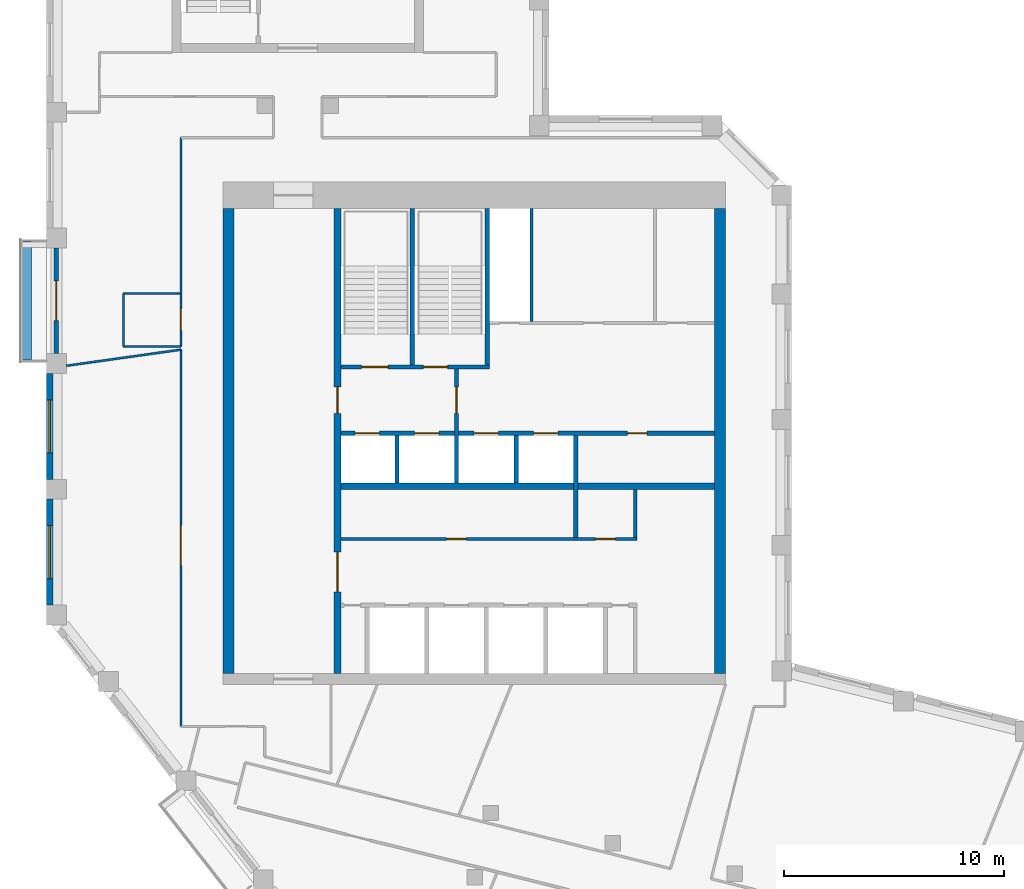
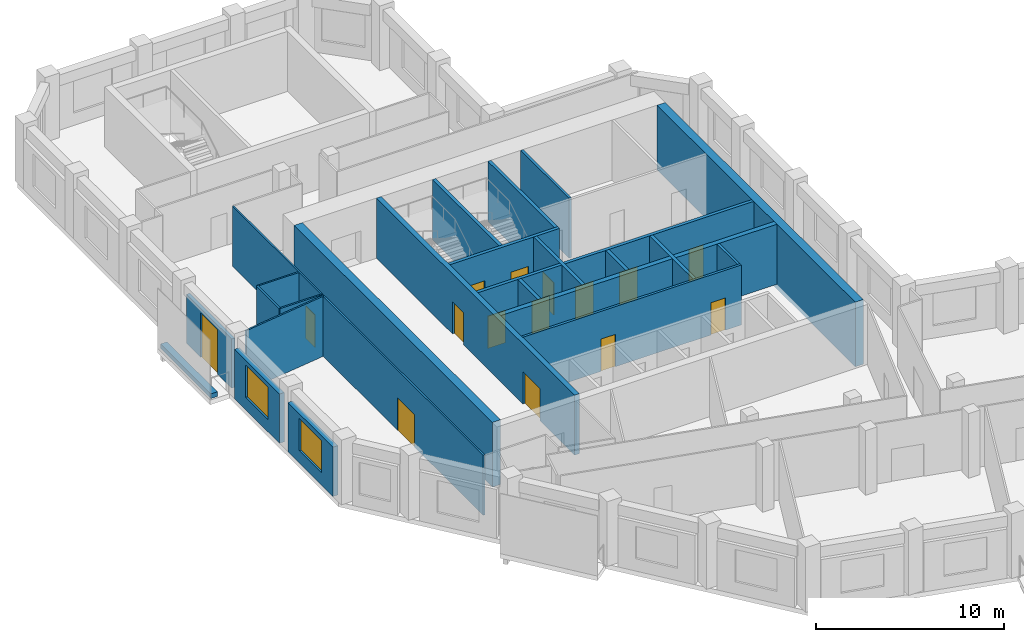
# One storey, part 9 of 13: 25 walls, 15 doors, 2 windows, 17 openings.
"""IFC4 building model written with IfcOpenShell, lengths in metres."""

import ifcopenshell
import ifcopenshell.guid

model = None  # the IFC model being written
_history = None  # IfcOwnerHistory: only IFC2X3 demands one
_inside = {}  # id of a spatial element -> (the spatial element, [elements in it])
_under = {}  # id of a project, library or spatial element -> (it, [spatial elements below it])
_declared = {}  # id of a project -> (the project, [libraries it declares])
_typed = {}  # id of a type object -> (the type object, [elements of that type])
_made_of = {}  # id of a material, layer set ... -> (it, [elements and type objects made of it])


def new_model(schema):
    """Start an empty IFC model of exactly this schema.

    Asked for "IFC4X3", IfcOpenShell would pick the latest addendum, in which some entities
    have other attributes; the version numbers below select the first issue.
    IFC2X3 requires an IfcOwnerHistory on every rooted entity: one is made here for all.
    """
    global model, _history
    if schema == "IFC4X3":
        model = ifcopenshell.file(schema_version=(4, 3, 0, 0))
    else:
        model = ifcopenshell.file(schema=schema)
    _inside.clear()
    _under.clear()
    _declared.clear()
    _typed.clear()
    _made_of.clear()
    _history = None
    if model.schema == "IFC2X3":
        org = make("IfcOrganization", Name="unknown")
        user = make(
            "IfcPersonAndOrganization",
            ThePerson=make("IfcPerson", FamilyName="unknown"),
            TheOrganization=org,
        )
        app = make(
            "IfcApplication",
            ApplicationDeveloper=org,
            Version="unknown",
            ApplicationFullName="unknown",
            ApplicationIdentifier="unknown",
        )
        _history = make(
            "IfcOwnerHistory",
            OwningUser=user,
            OwningApplication=app,
            ChangeAction="ADDED",
            CreationDate=0,
        )
    return model


def make(cls, **values):
    """One entity of the class cls with the attributes given. An attribute that is None is left unset."""
    return model.create_entity(
        cls, **{name: value for name, value in values.items() if value is not None}
    )


def rooted(cls, **values):
    """An entity with a GlobalId (a new one), such as an element, a storey or a relation."""
    return make(cls, GlobalId=ifcopenshell.guid.new(), OwnerHistory=_history, **values)


def si_unit(unit_type, name, prefix=None):
    """IfcSIUnit, for example si_unit("LENGTHUNIT", "METRE", prefix="MILLI")."""
    return make("IfcSIUnit", UnitType=unit_type, Prefix=prefix, Name=name)


def assignment(units):
    """IfcUnitAssignment: the units of a project."""
    return None if units is None else make("IfcUnitAssignment", Units=units)


def point(xyz):
    """IfcCartesianPoint."""
    return None if xyz is None else make("IfcCartesianPoint", Coordinates=xyz)


def direction(xyz):
    """IfcDirection."""
    return None if xyz is None else make("IfcDirection", DirectionRatios=xyz)


def frame(location, z_axis=None, x_axis=None):
    """IfcAxis2Placement3D, a coordinate frame: its origin and axes. An axis left out is left unset."""
    return make(
        "IfcAxis2Placement3D",
        Location=point(location),
        Axis=direction(z_axis),
        RefDirection=direction(x_axis),
    )


def frame_2d(location, x_axis=None):
    """IfcAxis2Placement2D, a coordinate frame in the plane: its origin and x axis."""
    return make(
        "IfcAxis2Placement2D", Location=point(location), RefDirection=direction(x_axis)
    )


def origin():
    """The frame at (0, 0, 0) with its axes left unset."""
    return frame((0.0, 0.0, 0.0))


def place(relative_to, where):
    """IfcLocalPlacement: puts the frame where relative to a parent placement (None: the world)."""
    return make(
        "IfcLocalPlacement", PlacementRelTo=relative_to, RelativePlacement=where
    )


def context(
    kind, dimensions, precision=None, world=None, true_north=None, identifier=None
):
    """IfcGeometricRepresentationContext, for example the 3D "Model" context."""
    return make(
        "IfcGeometricRepresentationContext",
        ContextIdentifier=identifier,
        ContextType=kind,
        CoordinateSpaceDimension=dimensions,
        Precision=precision,
        WorldCoordinateSystem=world,
        TrueNorth=true_north,
    )


def subcontext(parent, identifier, kind, view, scale=None):
    """IfcGeometricRepresentationSubContext, for example "Body" below "Model"."""
    return make(
        "IfcGeometricRepresentationSubContext",
        ContextIdentifier=identifier,
        ContextType=kind,
        ParentContext=parent,
        TargetScale=scale,
        TargetView=view,
    )


def project(units=None, contexts=None):
    """IfcProject with its units and contexts."""
    return rooted(
        "IfcProject",
        Name="project",
        RepresentationContexts=contexts,
        UnitsInContext=assignment(units),
    )


def spatial(cls, under=None, at=None, **own):
    """A site, building, storey or space (cls), placed at a placement, below another one or the project."""
    s = rooted(cls, ObjectPlacement=at, **own)
    if under is not None:
        _under.setdefault(under.id(), (under, []))[1].append(s)
    return s


def profile(cls, at=None, kind="AREA", **sizes):
    """A parametric profile (cls). Its sizes go by their IFC names, for example OverallWidth=200.0."""
    return make(cls, ProfileType=kind, Position=at, **sizes)


def rectangle(**sizes):
    """IfcRectangleProfileDef."""
    return profile("IfcRectangleProfileDef", **sizes)


def extrude(swept, where, along, depth):
    """IfcExtrudedAreaSolid: the profile swept, set in the frame where, extruded along a direction by depth."""
    return make(
        "IfcExtrudedAreaSolid",
        SweptArea=swept,
        Position=where,
        ExtrudedDirection=direction(along),
        Depth=depth,
    )


def shape(context_of_items, identifier, shape_type, items):
    """IfcShapeRepresentation: the items that make up one representation, for example the "Body"."""
    return make(
        "IfcShapeRepresentation",
        ContextOfItems=context_of_items,
        RepresentationIdentifier=identifier,
        RepresentationType=shape_type,
        Items=items,
    )


def material(Name=None, Category=None):
    """IfcMaterial."""
    return make("IfcMaterial", Name=Name, Category=Category)


def layer(
    of_material, thickness, ventilated=None, Name=None, Category=None, Priority=None
):
    """IfcMaterialLayer: one layer of a wall or slab, of a material (None: an air gap)."""
    return make(
        "IfcMaterialLayer",
        Material=of_material,
        LayerThickness=thickness,
        IsVentilated=ventilated,
        Name=Name,
        Category=Category,
        Priority=Priority,
    )


def layer_set(layers, Name=None):
    """IfcMaterialLayerSet."""
    return make("IfcMaterialLayerSet", MaterialLayers=layers, LayerSetName=Name)


def made_of(thing, what):
    """Note that an element or type object is made of a material, layer set ...; save() writes the relation."""
    if what is not None:
        _made_of.setdefault(what.id(), (what, []))[1].append(thing)
    return thing


def type_object(cls, material=None, **own):
    """A type object (cls), such as IfcWallType, which elements share."""
    return made_of(rooted(cls, **own), material)


def element(
    cls,
    number,
    at=None,
    inside=None,
    cuts=None,
    type_object=None,
    material=None,
    context=None,
    identifier="Body",
    shape_type=None,
    held_by="IfcProductDefinitionShape",
    body=None,
    shapes=None,
    **own,
):
    """One element of the class cls, such as IfcWall. Its Tag is "e" and its number.

    at: its placement. inside: the storey or other place that contains it. cuts: it is an
    opening in that element (IfcRelVoidsElement). A single representation is given by context,
    identifier, shape_type and body (its items); several are given by shapes. held_by: the class
    of the entity that holds the representations. save() writes the other relations.
    """
    e = rooted(cls, Tag="e%d" % number, ObjectPlacement=at, **own)
    if body is not None:
        shapes = [shape(context, identifier, shape_type, body)]
    if shapes is not None:
        e.Representation = make(held_by, Representations=shapes)
    if inside is not None:
        _inside.setdefault(inside.id(), (inside, []))[1].append(e)
    if cuts is not None:
        rooted(
            "IfcRelVoidsElement", RelatingBuildingElement=cuts, RelatedOpeningElement=e
        )
    if type_object is not None:
        _typed.setdefault(type_object.id(), (type_object, []))[1].append(e)
    return made_of(e, material)


def fill(opening, filler):
    """IfcRelFillsElement: the door or window that sits in an opening."""
    return rooted(
        "IfcRelFillsElement",
        RelatingOpeningElement=opening,
        RelatedBuildingElement=filler,
    )


def aggregate(whole, parts):
    """IfcRelAggregates: a whole, such as a stair, and the parts it consists of."""
    return rooted("IfcRelAggregates", RelatingObject=whole, RelatedObjects=parts)


def save(model, path):
    """Write the relations noted so far, then the file.

    IfcRelAggregates (storeys below a building ...), IfcRelContainedInSpatialStructure (elements
    in a storey), IfcRelDefinesByType, IfcRelAssociatesMaterial and IfcRelDeclares: one each for
    every whole, place, type object, material and project.
    """
    for whole, parts in _under.values():
        aggregate(whole, parts)
    for where, things in _inside.values():
        rooted(
            "IfcRelContainedInSpatialStructure",
            RelatedElements=things,
            RelatingStructure=where,
        )
    for kind, things in _typed.values():
        rooted("IfcRelDefinesByType", RelatedObjects=things, RelatingType=kind)
    for what, things in _made_of.values():
        rooted("IfcRelAssociatesMaterial", RelatedObjects=things, RelatingMaterial=what)
    for by, libraries in _declared.values():
        rooted("IfcRelDeclares", RelatingContext=by, RelatedDefinitions=libraries)
    model.write(path)


model = new_model("IFC4")

# Units and contexts
model_context = context("Model", 3, precision=1e-05, world=origin(), true_north=direction((0.0, 1.0)))
body_context = subcontext(model_context, "Body", "Model", "MODEL_VIEW")
ifc_project = project(units=[si_unit("LENGTHUNIT", "METRE"), si_unit("AREAUNIT", "SQUARE_METRE"), si_unit("VOLUMEUNIT", "CUBIC_METRE"), si_unit("PLANEANGLEUNIT", "RADIAN"), si_unit("MASSUNIT", "GRAM", prefix="KILO")], contexts=[model_context])

# Site, building, storey
site_placement = place(None, origin())
site = spatial("IfcSite", under=ifc_project, at=site_placement, CompositionType="ELEMENT")
building_placement = place(site_placement, origin())
building = spatial("IfcBuilding", under=site, at=building_placement, Name="Meshkara Civic Tower", CompositionType="ELEMENT")
storey_placement = place(building_placement, frame((0.0, 0.0, 383.39990234375)))
storey = spatial("IfcBuildingStorey", under=building, at=storey_placement, Name="L88", CompositionType="ELEMENT", Elevation=383.39990234375)

# Wall, openings, doors
ifc_material_1 = material(Name="Blockwork", Category="masonry")
ifc_layer_1 = layer(ifc_material_1, 0.14990234375)
ifc_layer_set_1 = layer_set([ifc_layer_1], Name="Core partition 150")
wall_type_1 = type_object("IfcWallType", Name="Core partition 150", PredefinedType="PARTITIONING", material=ifc_layer_set_1)
wall_1_placement = place(storey_placement, frame((13.35009765625, 20.699951171875, 0.0), z_axis=(0.0, 0.0, 1.0), x_axis=(1.0, 0.0, 0.0)))
wall_1 = element("IfcWall", 1, at=wall_1_placement, inside=storey, type_object=wall_type_1, Name="L88-C006", PredefinedType="PARTITIONING", context=body_context, shape_type="SweptSolid", body=[
    extrude(rectangle(XDim=13.4248046875, YDim=0.14990234375, at=frame_2d((6.71240234375, 0.0))), origin(), (0.0, 0.0, 1.0), 3.900146484375),
])
opening_1_placement = place(wall_1_placement, frame((4.800048828125, 0.0, 0.0)))
opening_1 = element("IfcOpeningElement", 2, at=opening_1_placement, cuts=wall_1, Name="Opening L88-K011", PredefinedType="OPENING", context=body_context, shape_type="SweptSolid", body=[
    extrude(rectangle(XDim=0.89990234375, YDim=2.10009765625, at=frame_2d((0.449951171875, 1.050048828125))), frame((0.0, 0.0849609375, 0.0), z_axis=(0.0, -1.0, 0.0), x_axis=(1.0, 0.0, 0.0)), (0.0, 0.0, 1.0), 0.169921875),
])
opening_2_placement = place(wall_1_placement, frame((11.550048828125, 0.0, 0.0)))
opening_2 = element("IfcOpeningElement", 3, at=opening_2_placement, cuts=wall_1, Name="Opening L88-K012", PredefinedType="OPENING", context=body_context, shape_type="SweptSolid", body=[
    extrude(rectangle(XDim=0.89990234375, YDim=2.10009765625, at=frame_2d((0.449951171875, 1.050048828125))), frame((0.0, 0.0849609375, 0.0), z_axis=(0.0, -1.0, 0.0), x_axis=(1.0, 0.0, 0.0)), (0.0, 0.0, 1.0), 0.169921875),
])
ifc_material_2 = material(Name="Timber door leaf in steel frame", Category="steel")
door_type_1 = type_object("IfcDoorType", Name="Core room door 900", OperationType="SINGLE_SWING_LEFT", PredefinedType="DOOR", material=ifc_material_2)
door_1_placement = place(opening_1_placement, origin())
door_1 = element("IfcDoor", 4, at=door_1_placement, inside=storey, type_object=door_type_1, Name="L88-K011", OperationType="SINGLE_SWING_RIGHT", OverallHeight=2.10009765625, OverallWidth=0.89990234375, PredefinedType="DOOR", context=body_context, shape_type="SweptSolid", body=[
    extrude(rectangle(XDim=0.89990234375, YDim=2.10009765625, at=frame_2d((0.449951171875, 1.050048828125))), frame((0.0, 0.02490234375, 0.0), z_axis=(0.0, -1.0, 0.0), x_axis=(1.0, 0.0, 0.0)), (0.0, 0.0, 1.0), 0.050048828125),
])
fill(opening_1, door_1)
door_2_placement = place(opening_2_placement, origin())
door_2 = element("IfcDoor", 5, at=door_2_placement, inside=storey, type_object=door_type_1, Name="L88-K012", OperationType="SINGLE_SWING_RIGHT", OverallHeight=2.10009765625, OverallWidth=0.89990234375, PredefinedType="DOOR", context=body_context, shape_type="SweptSolid", body=[
    extrude(rectangle(XDim=0.89990234375, YDim=2.10009765625, at=frame_2d((0.449951171875, 1.050048828125))), frame((0.0, 0.02490234375, 0.0), z_axis=(0.0, -1.0, 0.0), x_axis=(1.0, 0.0, 0.0)), (0.0, 0.0, 1.0), 0.050048828125),
])
fill(opening_2, door_2)

# Walls
wall_2_placement = place(storey_placement, frame((22.0, 30.574951171875, 0.0), z_axis=(0.0, 0.0, 1.0), x_axis=(0.0, 1.0, 0.0)))
element("IfcWall", 6, at=wall_2_placement, inside=storey, type_object=wall_type_1, Name="L88-C020", PredefinedType="PARTITIONING", context=body_context, shape_type="SweptSolid", body=[
    extrude(rectangle(XDim=5.125, YDim=0.14990234375, at=frame_2d((2.5625, 0.0))), origin(), (0.0, 0.0, 1.0), 3.900146484375),
])
wall_3_placement = place(storey_placement, frame((26.699951171875, 20.77490234375, 0.0), z_axis=(0.0, 0.0, 1.0), x_axis=(0.0, 1.0, 0.0)))
element("IfcWall", 7, at=wall_3_placement, inside=storey, type_object=wall_type_1, Name="L88-C025", PredefinedType="PARTITIONING", context=body_context, shape_type="SweptSolid", body=[
    extrude(rectangle(XDim=2.175048828125, YDim=0.14990234375, at=frame_2d((1.08740234375, 0.0))), origin(), (0.0, 0.0, 1.0), 3.900146484375),
])
ifc_material_3 = material(Name="Concrete C50", Category="concrete")
ifc_layer_2 = layer(ifc_material_3, 0.5)
ifc_layer_set_2 = layer_set([ifc_layer_2], Name="Core ring wall 500 C50")
wall_type_2 = type_object("IfcWallType", Name="Core ring wall 500 C50", PredefinedType="SHEAR", material=ifc_layer_set_2)
for number, where, z_axis, x_axis, name in (
    (8, (8.25, 14.60009765625, -0.2998046875), (0.0, 0.0, 1.0), (0.0, 1.0, 0.0), "L88-C003"),
    (9, (30.550048828125, 14.60009765625, -0.2998046875), (0.0, 0.0, 1.0), (0.0, 1.0, 0.0), "L88-C004"),
):
    element("IfcWall", number, at=place(storey_placement, frame(where, z_axis=z_axis, x_axis=x_axis)), inside=storey, type_object=wall_type_2, Name=name, PredefinedType="SHEAR", context=body_context, shape_type="SweptSolid", body=[
        extrude(rectangle(XDim=21.099853515625, YDim=0.5, at=frame_2d((10.5498046875, 0.0))), origin(), (0.0, 0.0, 1.0), 4.199951171875),
    ])
ifc_material_4 = material(Name="Concrete C50", Category="concrete")
ifc_layer_3 = layer(ifc_material_4, 0.300048828125)
ifc_layer_set_3 = layer_set([ifc_layer_3], Name="Core shear wall 300 C50")
wall_type_3 = type_object("IfcWallType", Name="Core shear wall 300 C50", PredefinedType="SHEAR", material=ifc_layer_set_3)
wall_4_placement = place(storey_placement, frame((13.35009765625, 23.10009765625, 0.0), z_axis=(0.0, 0.0, 1.0), x_axis=(1.0, 0.0, 0.0)))
element("IfcWall", 10, at=wall_4_placement, inside=storey, type_object=wall_type_3, Name="L88-C007", PredefinedType="SHEAR", context=body_context, shape_type="SweptSolid", body=[
    extrude(rectangle(XDim=16.949951171875, YDim=0.300048828125, at=frame_2d((8.47509765625, 0.0))), origin(), (0.0, 0.0, 1.0), 3.900146484375),
])

# Wall, openings, doors
wall_5_placement = place(storey_placement, frame((13.199951171875, 14.60009765625, 0.0), z_axis=(0.0, 0.0, 1.0), x_axis=(0.0, 1.0, 0.0)))
wall_5 = element("IfcWall", 11, at=wall_5_placement, inside=storey, type_object=wall_type_3, Name="L88-C011", PredefinedType="SHEAR", context=body_context, shape_type="SweptSolid", body=[
    extrude(rectangle(XDim=21.099853515625, YDim=0.300048828125, at=frame_2d((10.5498046875, 0.0))), origin(), (0.0, 0.0, 1.0), 3.900146484375),
])
opening_3_placement = place(wall_5_placement, frame((3.699951171875, 0.0, 0.0)))
opening_3 = element("IfcOpeningElement", 12, at=opening_3_placement, cuts=wall_5, Name="Opening L88-K019", PredefinedType="OPENING", context=body_context, shape_type="SweptSolid", body=[
    extrude(rectangle(XDim=1.800048828125, YDim=2.10009765625, at=frame_2d((0.89990234375, 1.050048828125))), frame((0.0, 0.159912109375, 0.0), z_axis=(0.0, -1.0, 0.0), x_axis=(1.0, 0.0, 0.0)), (0.0, 0.0, 1.0), 0.320068359375),
])
opening_4_placement = place(wall_5_placement, frame((11.800048828125, 0.0, 0.0)))
opening_4 = element("IfcOpeningElement", 13, at=opening_4_placement, cuts=wall_5, Name="Opening L88-K020", PredefinedType="OPENING", context=body_context, shape_type="SweptSolid", body=[
    extrude(rectangle(XDim=1.199951171875, YDim=2.10009765625, at=frame_2d((0.60009765625, 1.050048828125))), frame((0.0, 0.159912109375, 0.0), z_axis=(0.0, -1.0, 0.0), x_axis=(1.0, 0.0, 0.0)), (0.0, 0.0, 1.0), 0.320068359375),
])
ifc_material_5 = material(Name="Fire-rated door leaf in steel frame", Category="steel")
door_type_2 = type_object("IfcDoorType", Name="Core double door 1800 EI 60", OperationType="DOUBLE_DOOR_SINGLE_SWING", PredefinedType="DOOR", material=ifc_material_5)
door_3_placement = place(opening_3_placement, origin())
door_3 = element("IfcDoor", 14, at=door_3_placement, inside=storey, type_object=door_type_2, Name="L88-K019", OperationType="DOUBLE_DOOR_SINGLE_SWING", OverallHeight=2.10009765625, OverallWidth=1.800048828125, PredefinedType="DOOR", context=body_context, shape_type="SweptSolid", body=[
    extrude(rectangle(XDim=1.800048828125, YDim=2.10009765625, at=frame_2d((0.89990234375, 1.050048828125))), frame((0.0, 0.02490234375, 0.0), z_axis=(0.0, -1.0, 0.0), x_axis=(1.0, 0.0, 0.0)), (0.0, 0.0, 1.0), 0.050048828125),
])
fill(opening_3, door_3)
ifc_material_6 = material(Name="Fire-rated door leaf in steel frame", Category="steel")
door_type_3 = type_object("IfcDoorType", Name="Fire-fighting lobby door 1200 EI 120", OperationType="SINGLE_SWING_LEFT", PredefinedType="DOOR", material=ifc_material_6)
door_4_placement = place(opening_4_placement, origin())
door_4 = element("IfcDoor", 15, at=door_4_placement, inside=storey, type_object=door_type_3, Name="L88-K020", OperationType="SINGLE_SWING_LEFT", OverallHeight=2.10009765625, OverallWidth=1.199951171875, PredefinedType="DOOR", context=body_context, shape_type="SweptSolid", body=[
    extrude(rectangle(XDim=1.199951171875, YDim=2.10009765625, at=frame_2d((0.60009765625, 1.050048828125))), frame((0.0, 0.02490234375, 0.0), z_axis=(0.0, -1.0, 0.0), x_axis=(1.0, 0.0, 0.0)), (0.0, 0.0, 1.0), 0.050048828125),
])
fill(opening_4, door_4)

# Wall, opening, door
ifc_material_7 = material(Name="Corridor wall 100")
ifc_layer_4 = layer(ifc_material_7, 0.10009765625)
ifc_layer_set_4 = layer_set([ifc_layer_4], Name="Corridor wall 100")
wall_type_4 = type_object("IfcWallType", Name="Corridor wall 100", PredefinedType="PARTITIONING", material=ifc_layer_set_4)
wall_6_placement = place(storey_placement, frame((6.10009765625, 29.287109375, 0.0), z_axis=(0.0, 0.0, 1.0), x_axis=(0.0, -1.0, 0.0)))
wall_6 = element("IfcWall", 16, at=wall_6_placement, inside=storey, type_object=wall_type_4, Name="L88-W005", PredefinedType="PARTITIONING", context=body_context, shape_type="SweptSolid", body=[
    extrude(rectangle(XDim=17.087158203125, YDim=0.10009765625, at=frame_2d((8.54345703125, 0.0))), origin(), (0.0, 0.0, 1.0), 3.900146484375),
])
opening_5_placement = place(wall_6_placement, frame((7.97998046875, 0.0, 0.0)))
opening_5 = element("IfcOpeningElement", 17, at=opening_5_placement, cuts=wall_6, Name="Opening L88-D013", PredefinedType="OPENING", context=body_context, shape_type="SweptSolid", body=[
    extrude(rectangle(XDim=1.800048828125, YDim=2.10009765625, at=frame_2d((0.89990234375, 1.050048828125))), frame((0.0, 0.06005859375, 0.0), z_axis=(0.0, -1.0, 0.0), x_axis=(1.0, 0.0, 0.0)), (0.0, 0.0, 1.0), 0.1201171875),
])
ifc_material_8 = material(Name="Door pair 1800 x 2100")
door_type_4 = type_object("IfcDoorType", Name="Door pair 1800 x 2100", OperationType="SINGLE_SWING_LEFT", PredefinedType="DOOR", material=ifc_material_8)
door_5_placement = place(opening_5_placement, origin())
door_5 = element("IfcDoor", 18, at=door_5_placement, inside=storey, type_object=door_type_4, Name="L88-D013", OperationType="DOUBLE_DOOR_SINGLE_SWING", OverallHeight=2.10009765625, OverallWidth=1.800048828125, PredefinedType="DOOR", context=body_context, shape_type="SweptSolid", body=[
    extrude(rectangle(XDim=1.800048828125, YDim=2.10009765625, at=frame_2d((0.89990234375, 1.050048828125))), frame((0.0, 0.02490234375, 0.0), z_axis=(0.0, -1.0, 0.0), x_axis=(1.0, 0.0, 0.0)), (0.0, 0.0, 1.0), 0.050048828125),
])
fill(opening_5, door_5)

wall_7_placement = place(storey_placement, frame((6.10009765625, 38.89990234375, 0.0), z_axis=(0.0, 0.0, 1.0), x_axis=(0.0, -1.0, 0.0)))
wall_7 = element("IfcWall", 19, at=wall_7_placement, inside=storey, type_object=wall_type_4, Name="L88-W006", PredefinedType="PARTITIONING", context=body_context, shape_type="SweptSolid", body=[
    extrude(rectangle(XDim=9.462890625, YDim=0.10009765625, at=frame_2d((4.7314453125, 0.0))), origin(), (0.0, 0.0, 1.0), 3.900146484375),
])
opening_6_placement = place(wall_7_placement, frame((7.742919921875, 0.0, 0.0)))
opening_6 = element("IfcOpeningElement", 20, at=opening_6_placement, cuts=wall_7, Name="Opening L88-D014", PredefinedType="OPENING", context=body_context, shape_type="SweptSolid", body=[
    extrude(rectangle(XDim=1.0, YDim=2.10009765625, at=frame_2d((0.5, 1.050048828125))), frame((0.0, 0.06005859375, 0.0), z_axis=(0.0, -1.0, 0.0), x_axis=(1.0, 0.0, 0.0)), (0.0, 0.0, 1.0), 0.1201171875),
])
ifc_material_9 = material(Name="Door 1000 x 2100")
door_type_5 = type_object("IfcDoorType", Name="Door 1000 x 2100", OperationType="SINGLE_SWING_LEFT", PredefinedType="DOOR", material=ifc_material_9)
door_6_placement = place(opening_6_placement, origin())
door_6 = element("IfcDoor", 21, at=door_6_placement, inside=storey, type_object=door_type_5, Name="L88-D014", OperationType="SINGLE_SWING_RIGHT", OverallHeight=2.10009765625, OverallWidth=1.0, PredefinedType="DOOR", context=body_context, shape_type="SweptSolid", body=[
    extrude(rectangle(XDim=1.0, YDim=2.10009765625, at=frame_2d((0.5, 1.050048828125))), frame((0.0, 0.02490234375, 0.0), z_axis=(0.0, -1.0, 0.0), x_axis=(1.0, 0.0, 0.0)), (0.0, 0.0, 1.0), 0.050048828125),
])
fill(opening_6, door_6)

# Wall, opening, window
ifc_material_10 = material(Name="Insulated infill panel with bronze anodised aluminium cladding", Category="aluminium")
ifc_layer_5 = layer(ifc_material_10, 0.300048828125)
ifc_layer_set_5 = layer_set([ifc_layer_5], Name="EXTERNAL INFILL WALL 300")
wall_type_5 = type_object("IfcWallType", Name="EXTERNAL INFILL WALL 300", PredefinedType="SOLIDWALL", material=ifc_layer_set_5)
wall_8_placement = place(storey_placement, frame((0.14990234375, 28.205078125, 0.0), z_axis=(0.0, 0.0, 1.0), x_axis=(0.0, -1.0, 0.0)))
wall_8 = element("IfcWall", 22, at=wall_8_placement, inside=storey, type_object=wall_type_5, Name="External wall", PredefinedType="SOLIDWALL", context=body_context, shape_type="SweptSolid", body=[
    extrude(rectangle(XDim=4.800048828125, YDim=0.300048828125, at=frame_2d((2.39990234375, 0.0))), origin(), (0.0, 0.0, 1.0), 3.2001953125),
])
opening_7_placement = place(wall_8_placement, frame((1.199951171875, 0.0, 0.800048828125)))
opening_7 = element("IfcOpeningElement", 23, at=opening_7_placement, cuts=wall_8, Name="Opening W7", PredefinedType="OPENING", context=body_context, shape_type="SweptSolid", body=[
    extrude(rectangle(XDim=2.39990234375, YDim=2.10009765625, at=frame_2d((1.199951171875, 1.050048828125))), frame((0.0, 0.159912109375, 0.0), z_axis=(0.0, -1.0, 0.0), x_axis=(1.0, 0.0, 0.0)), (0.0, 0.0, 1.0), 0.320068359375),
])
ifc_material_11 = material(Name="Tinted double glazing", Category="glass")
window_type = type_object("IfcWindowType", Name="WINDOW 2400x2100", PartitioningType="DOUBLE_PANEL_VERTICAL", PredefinedType="WINDOW", material=ifc_material_11)
window_1_placement = place(opening_7_placement, origin())
window_1 = element("IfcWindow", 24, at=window_1_placement, inside=storey, type_object=window_type, Name="Window", OverallHeight=2.10009765625, OverallWidth=2.39990234375, PartitioningType="DOUBLE_PANEL_VERTICAL", PredefinedType="WINDOW", context=body_context, shape_type="SweptSolid", body=[
    extrude(rectangle(XDim=2.39990234375, YDim=2.10009765625, at=frame_2d((1.199951171875, 1.050048828125))), frame((0.0, 0.030029296875, 0.0), z_axis=(0.0, -1.0, 0.0), x_axis=(1.0, 0.0, 0.0)), (0.0, 0.0, 1.0), 0.06005859375),
])
fill(opening_7, window_1)

wall_9_placement = place(storey_placement, frame((0.14990234375, 22.5048828125, 0.0), z_axis=(0.0, 0.0, 1.0), x_axis=(0.0, -1.0, 0.0)))
wall_9 = element("IfcWall", 25, at=wall_9_placement, inside=storey, type_object=wall_type_5, Name="External wall", PredefinedType="SOLIDWALL", context=body_context, shape_type="SweptSolid", body=[
    extrude(rectangle(XDim=4.7998046875, YDim=0.300048828125, at=frame_2d((2.39990234375, 0.0))), origin(), (0.0, 0.0, 1.0), 3.2001953125),
])
opening_8_placement = place(wall_9_placement, frame((1.199951171875, 0.0, 0.800048828125)))
opening_8 = element("IfcOpeningElement", 26, at=opening_8_placement, cuts=wall_9, Name="Opening W7", PredefinedType="OPENING", context=body_context, shape_type="SweptSolid", body=[
    extrude(rectangle(XDim=2.39990234375, YDim=2.10009765625, at=frame_2d((1.199951171875, 1.050048828125))), frame((0.0, 0.159912109375, 0.0), z_axis=(0.0, -1.0, 0.0), x_axis=(1.0, 0.0, 0.0)), (0.0, 0.0, 1.0), 0.320068359375),
])
window_2_placement = place(opening_8_placement, origin())
window_2 = element("IfcWindow", 27, at=window_2_placement, inside=storey, type_object=window_type, Name="Window", OverallHeight=2.10009765625, OverallWidth=2.39990234375, PartitioningType="DOUBLE_PANEL_VERTICAL", PredefinedType="WINDOW", context=body_context, shape_type="SweptSolid", body=[
    extrude(rectangle(XDim=2.39990234375, YDim=2.10009765625, at=frame_2d((1.199951171875, 1.050048828125))), frame((0.0, 0.030029296875, 0.0), z_axis=(0.0, -1.0, 0.0), x_axis=(1.0, 0.0, 0.0)), (0.0, 0.0, 1.0), 0.06005859375),
])
fill(opening_8, window_2)

# Wall, opening, door
ifc_material_12 = material(Name="Insulated infill panel with bronze anodised aluminium cladding", Category="aluminium")
ifc_layer_6 = layer(ifc_material_12, 0.199951171875)
ifc_layer_set_6 = layer_set([ifc_layer_6], Name="LOGGIA BACK WALL 200")
wall_type_6 = type_object("IfcWallType", Name="LOGGIA BACK WALL 200", PredefinedType="SOLIDWALL", material=ifc_layer_set_6)
wall_10_placement = place(storey_placement, frame((0.449951171875, 33.904052734375, 0.0), z_axis=(0.0, 0.0, 1.0), x_axis=(0.0, -1.0, 0.0)))
wall_10 = element("IfcWall", 28, at=wall_10_placement, inside=storey, type_object=wall_type_6, Name="Loggia wall", PredefinedType="SOLIDWALL", context=body_context, shape_type="SweptSolid", body=[
    extrude(rectangle(XDim=4.799072265625, YDim=0.199951171875, at=frame_2d((2.3994140625, 0.0))), origin(), (0.0, 0.0, 1.0), 3.2001953125),
])
opening_9_placement = place(wall_10_placement, frame((1.5, 0.0, 0.0)))
opening_9 = element("IfcOpeningElement", 29, at=opening_9_placement, cuts=wall_10, Name="Opening L88-L001", PredefinedType="OPENING", context=body_context, shape_type="SweptSolid", body=[
    extrude(rectangle(XDim=1.800048828125, YDim=2.89990234375, at=frame_2d((0.89990234375, 1.449951171875))), frame((0.0, 0.10986328125, 0.0), z_axis=(0.0, -1.0, 0.0), x_axis=(1.0, 0.0, 0.0)), (0.0, 0.0, 1.0), 0.219970703125),
])
ifc_material_13 = material(Name="Tinted double glazing", Category="glass")
door_type_6 = type_object("IfcDoorType", Name="LOGGIA DOOR 1800x2900", OperationType="DOUBLE_DOOR_SINGLE_SWING", PredefinedType="DOOR", material=ifc_material_13)
door_7_placement = place(opening_9_placement, origin())
door_7 = element("IfcDoor", 30, at=door_7_placement, inside=storey, type_object=door_type_6, Name="L88-L001", OperationType="DOUBLE_DOOR_SINGLE_SWING", OverallHeight=2.89990234375, OverallWidth=1.800048828125, PredefinedType="DOOR", context=body_context, shape_type="SweptSolid", body=[
    extrude(rectangle(XDim=1.800048828125, YDim=2.89990234375, at=frame_2d((0.89990234375, 1.449951171875))), frame((0.0, 0.02490234375, 0.0), z_axis=(0.0, -1.0, 0.0), x_axis=(1.0, 0.0, 0.0)), (0.0, 0.0, 1.0), 0.050048828125),
])
fill(opening_9, door_7)

# Walls
ifc_material_14 = material(Name="Concrete C40", Category="concrete")
ifc_layer_7 = layer(ifc_material_14, 0.39990234375)
ifc_layer_set_7 = layer_set([ifc_layer_7], Name="PLANTER TRAY")
wall_type_7 = type_object("IfcWallType", Name="PLANTER TRAY", PredefinedType="SOLIDWALL", material=ifc_layer_set_7)
wall_11_placement = place(storey_placement, frame((-0.8798828125, 34.18505859375, 0.0), z_axis=(0.0, 0.0, 1.0), x_axis=(0.0, -1.0, 0.0)))
element("IfcWall", 31, at=wall_11_placement, inside=storey, type_object=wall_type_7, Name="Planter", PredefinedType="SOLIDWALL", context=body_context, shape_type="SweptSolid", body=[
    extrude(rectangle(XDim=5.360107421875, YDim=0.39990234375, at=frame_2d((2.68017578125, 0.0))), origin(), (0.0, 0.0, 1.0), 0.300048828125),
])
ifc_material_15 = material(Name="Partition 100")
ifc_layer_8 = layer(ifc_material_15, 0.10009765625)
ifc_layer_set_8 = layer_set([ifc_layer_8], Name="Partition 100")
wall_type_8 = type_object("IfcWallType", Name="Partition 100", PredefinedType="PARTITIONING", material=ifc_layer_set_8)
wall_12_placement = place(storey_placement, frame((3.5, 29.43701171875, 0.0), z_axis=(0.0, 0.0, 1.0), x_axis=(0.0, 1.0, 0.0)))
element("IfcWall", 32, at=wall_12_placement, inside=storey, type_object=wall_type_8, Name="L88-W037", PredefinedType="PARTITIONING", context=body_context, shape_type="SweptSolid", body=[
    extrude(rectangle(XDim=2.39990234375, YDim=0.10009765625, at=frame_2d((1.199951171875, 0.0))), origin(), (0.0, 0.0, 1.0), 3.900146484375),
])
wall_13_placement = place(storey_placement, frame((3.5, 31.8369140625, 0.0), z_axis=(0.0, 0.0, 1.0), x_axis=(1.0, 0.0, 0.0)))
element("IfcWall", 33, at=wall_13_placement, inside=storey, type_object=wall_type_8, Name="L88-W038", PredefinedType="PARTITIONING", context=body_context, shape_type="SweptSolid", body=[
    extrude(rectangle(XDim=2.550048828125, YDim=0.10009765625, at=frame_2d((1.27490234375, 0.0))), origin(), (0.0, 0.0, 1.0), 3.900146484375),
])
wall_14_placement = place(storey_placement, frame((6.10009765625, 29.287109375, 0.0), z_axis=(0.0, 0.0, 1.0), x_axis=(-0.990258582179, -0.139240584677, 0.0)))
element("IfcWall", 34, at=wall_14_placement, inside=storey, type_object=wall_type_8, Name="L88-W039", PredefinedType="PARTITIONING", context=body_context, shape_type="SweptSolid", body=[
    extrude(rectangle(XDim=5.25146484375, YDim=0.10009765625, at=frame_2d((2.625732421875, 0.0))), origin(), (0.0, 0.0, 1.0), 3.900146484375),
])
wall_15_placement = place(storey_placement, frame((6.10009765625, 29.43701171875, 0.0), z_axis=(0.0, 0.0, 1.0), x_axis=(-1.0, 0.0, 0.0)))
element("IfcWall", 35, at=wall_15_placement, inside=storey, type_object=wall_type_8, Name="L88-W040", PredefinedType="PARTITIONING", context=body_context, shape_type="SweptSolid", body=[
    extrude(rectangle(XDim=2.60009765625, YDim=0.10009765625, at=frame_2d((1.300048828125, 0.0))), origin(), (0.0, 0.0, 1.0), 3.900146484375),
])

# Wall, openings, doors
ifc_material_16 = material(Name="Concrete C40/50", Category="concrete")
ifc_layer_9 = layer(ifc_material_16, 0.199951171875)
ifc_layer_set_9 = layer_set([ifc_layer_9], Name="Shaft wall 200 C40/50")
wall_type_9 = type_object("IfcWallType", Name="Shaft wall 200 C40/50", PredefinedType="SOLIDWALL", material=ifc_layer_set_9)
wall_16_placement = place(storey_placement, frame((13.35009765625, 25.5, 0.0), z_axis=(0.0, 0.0, 1.0), x_axis=(1.0, 0.0, 0.0)))
wall_16 = element("IfcWall", 36, at=wall_16_placement, inside=storey, type_object=wall_type_9, Name="L88-C008", PredefinedType="SOLIDWALL", context=body_context, shape_type="SweptSolid", body=[
    extrude(rectangle(XDim=16.949951171875, YDim=0.199951171875, at=frame_2d((8.47509765625, 0.0))), origin(), (0.0, 0.0, 1.0), 3.900146484375),
])
opening_10_placement = place(wall_16_placement, frame((0.64990234375, 0.0, 0.0)))
opening_10 = element("IfcOpeningElement", 37, at=opening_10_placement, cuts=wall_16, Name="Opening L88-K005", PredefinedType="OPENING", context=body_context, shape_type="SweptSolid", body=[
    extrude(rectangle(XDim=1.10009765625, YDim=2.10009765625, at=frame_2d((0.550048828125, 1.050048828125))), frame((0.0, 0.10986328125, 0.0), z_axis=(0.0, -1.0, 0.0), x_axis=(1.0, 0.0, 0.0)), (0.0, 0.0, 1.0), 0.219970703125),
])
opening_11_placement = place(wall_16_placement, frame((3.35009765625, 0.0, 0.0)))
opening_11 = element("IfcOpeningElement", 38, at=opening_11_placement, cuts=wall_16, Name="Opening L88-K006", PredefinedType="OPENING", context=body_context, shape_type="SweptSolid", body=[
    extrude(rectangle(XDim=1.10009765625, YDim=2.10009765625, at=frame_2d((0.550048828125, 1.050048828125))), frame((0.0, 0.10986328125, 0.0), z_axis=(0.0, -1.0, 0.0), x_axis=(1.0, 0.0, 0.0)), (0.0, 0.0, 1.0), 0.219970703125),
])
opening_12_placement = place(wall_16_placement, frame((6.050048828125, 0.0, 0.0)))
opening_12 = element("IfcOpeningElement", 39, at=opening_12_placement, cuts=wall_16, Name="Opening L88-K007", PredefinedType="OPENING", context=body_context, shape_type="SweptSolid", body=[
    extrude(rectangle(XDim=1.10009765625, YDim=2.10009765625, at=frame_2d((0.550048828125, 1.050048828125))), frame((0.0, 0.10986328125, 0.0), z_axis=(0.0, -1.0, 0.0), x_axis=(1.0, 0.0, 0.0)), (0.0, 0.0, 1.0), 0.219970703125),
])
opening_13_placement = place(wall_16_placement, frame((8.75, 0.0, 0.0)))
opening_13 = element("IfcOpeningElement", 40, at=opening_13_placement, cuts=wall_16, Name="Opening L88-K008", PredefinedType="OPENING", context=body_context, shape_type="SweptSolid", body=[
    extrude(rectangle(XDim=1.10009765625, YDim=2.10009765625, at=frame_2d((0.550048828125, 1.050048828125))), frame((0.0, 0.10986328125, 0.0), z_axis=(0.0, -1.0, 0.0), x_axis=(1.0, 0.0, 0.0)), (0.0, 0.0, 1.0), 0.219970703125),
])
opening_14_placement = place(wall_16_placement, frame((13.0, 0.0, 0.0)))
opening_14 = element("IfcOpeningElement", 41, at=opening_14_placement, cuts=wall_16, Name="Opening L88-K013", PredefinedType="OPENING", context=body_context, shape_type="SweptSolid", body=[
    extrude(rectangle(XDim=0.89990234375, YDim=2.10009765625, at=frame_2d((0.449951171875, 1.050048828125))), frame((0.0, 0.10986328125, 0.0), z_axis=(0.0, -1.0, 0.0), x_axis=(1.0, 0.0, 0.0)), (0.0, 0.0, 1.0), 0.219970703125),
])
door_8_placement = place(opening_14_placement, origin())
door_8 = element("IfcDoor", 42, at=door_8_placement, inside=storey, type_object=door_type_1, Name="L88-K013", OperationType="SINGLE_SWING_LEFT", OverallHeight=2.10009765625, OverallWidth=0.89990234375, PredefinedType="DOOR", context=body_context, shape_type="SweptSolid", body=[
    extrude(rectangle(XDim=0.89990234375, YDim=2.10009765625, at=frame_2d((0.449951171875, 1.050048828125))), frame((0.0, 0.02490234375, 0.0), z_axis=(0.0, -1.0, 0.0), x_axis=(1.0, 0.0, 0.0)), (0.0, 0.0, 1.0), 0.050048828125),
])
fill(opening_14, door_8)
ifc_material_17 = material(Name="Stainless steel landing door", Category="steel")
door_type_7 = type_object("IfcDoorType", Name="Lift landing door 1100", OperationType="SLIDING_TO_LEFT", PredefinedType="DOOR", material=ifc_material_17)
door_9_placement = place(opening_10_placement, origin())
door_9 = element("IfcDoor", 43, at=door_9_placement, inside=storey, type_object=door_type_7, Name="L88-K005", OperationType="SLIDING_TO_LEFT", OverallHeight=2.10009765625, OverallWidth=1.10009765625, PredefinedType="DOOR", context=body_context, shape_type="SweptSolid", body=[
    extrude(rectangle(XDim=1.10009765625, YDim=2.10009765625, at=frame_2d((0.550048828125, 1.050048828125))), frame((0.0, 0.02490234375, 0.0), z_axis=(0.0, -1.0, 0.0), x_axis=(1.0, 0.0, 0.0)), (0.0, 0.0, 1.0), 0.050048828125),
])
fill(opening_10, door_9)
door_10_placement = place(opening_11_placement, origin())
door_10 = element("IfcDoor", 44, at=door_10_placement, inside=storey, type_object=door_type_7, Name="L88-K006", OperationType="SLIDING_TO_LEFT", OverallHeight=2.10009765625, OverallWidth=1.10009765625, PredefinedType="DOOR", context=body_context, shape_type="SweptSolid", body=[
    extrude(rectangle(XDim=1.10009765625, YDim=2.10009765625, at=frame_2d((0.550048828125, 1.050048828125))), frame((0.0, 0.02490234375, 0.0), z_axis=(0.0, -1.0, 0.0), x_axis=(1.0, 0.0, 0.0)), (0.0, 0.0, 1.0), 0.050048828125),
])
fill(opening_11, door_10)
door_11_placement = place(opening_12_placement, origin())
door_11 = element("IfcDoor", 45, at=door_11_placement, inside=storey, type_object=door_type_7, Name="L88-K007", OperationType="SLIDING_TO_LEFT", OverallHeight=2.10009765625, OverallWidth=1.10009765625, PredefinedType="DOOR", context=body_context, shape_type="SweptSolid", body=[
    extrude(rectangle(XDim=1.10009765625, YDim=2.10009765625, at=frame_2d((0.550048828125, 1.050048828125))), frame((0.0, 0.02490234375, 0.0), z_axis=(0.0, -1.0, 0.0), x_axis=(1.0, 0.0, 0.0)), (0.0, 0.0, 1.0), 0.050048828125),
])
fill(opening_12, door_11)
door_12_placement = place(opening_13_placement, origin())
door_12 = element("IfcDoor", 46, at=door_12_placement, inside=storey, type_object=door_type_7, Name="L88-K008", OperationType="SLIDING_TO_LEFT", OverallHeight=2.10009765625, OverallWidth=1.10009765625, PredefinedType="DOOR", context=body_context, shape_type="SweptSolid", body=[
    extrude(rectangle(XDim=1.10009765625, YDim=2.10009765625, at=frame_2d((0.550048828125, 1.050048828125))), frame((0.0, 0.02490234375, 0.0), z_axis=(0.0, -1.0, 0.0), x_axis=(1.0, 0.0, 0.0)), (0.0, 0.0, 1.0), 0.050048828125),
])
fill(opening_13, door_12)

# Wall
wall_17_placement = place(storey_placement, frame((15.89990234375, 23.25, 0.0), z_axis=(0.0, 0.0, 1.0), x_axis=(0.0, 1.0, 0.0)))
element("IfcWall", 47, at=wall_17_placement, inside=storey, type_object=wall_type_9, Name="L88-C013", PredefinedType="SOLIDWALL", context=body_context, shape_type="SweptSolid", body=[
    extrude(rectangle(XDim=2.14990234375, YDim=0.199951171875, at=frame_2d((1.074951171875, 0.0))), origin(), (0.0, 0.0, 1.0), 3.900146484375),
])

# Wall, opening, door
wall_18_placement = place(storey_placement, frame((18.60009765625, 23.25, 0.0), z_axis=(0.0, 0.0, 1.0), x_axis=(0.0, 1.0, 0.0)))
wall_18 = element("IfcWall", 48, at=wall_18_placement, inside=storey, type_object=wall_type_9, Name="L88-C016", PredefinedType="SOLIDWALL", context=body_context, shape_type="SweptSolid", body=[
    extrude(rectangle(XDim=5.14990234375, YDim=0.199951171875, at=frame_2d((2.574951171875, 0.0))), origin(), (0.0, 0.0, 1.0), 3.900146484375),
])
opening_15_placement = place(wall_18_placement, frame((3.14990234375, 0.0, 0.0)))
opening_15 = element("IfcOpeningElement", 49, at=opening_15_placement, cuts=wall_18, Name="Opening L88-K021", PredefinedType="OPENING", context=body_context, shape_type="SweptSolid", body=[
    extrude(rectangle(XDim=1.199951171875, YDim=2.10009765625, at=frame_2d((0.60009765625, 1.050048828125))), frame((0.0, 0.10986328125, 0.0), z_axis=(0.0, -1.0, 0.0), x_axis=(1.0, 0.0, 0.0)), (0.0, 0.0, 1.0), 0.219970703125),
])
door_13_placement = place(opening_15_placement, origin())
door_13 = element("IfcDoor", 50, at=door_13_placement, inside=storey, type_object=door_type_3, Name="L88-K021", OperationType="SINGLE_SWING_RIGHT", OverallHeight=2.10009765625, OverallWidth=1.199951171875, PredefinedType="DOOR", context=body_context, shape_type="SweptSolid", body=[
    extrude(rectangle(XDim=1.199951171875, YDim=2.10009765625, at=frame_2d((0.60009765625, 1.050048828125))), frame((0.0, 0.02490234375, 0.0), z_axis=(0.0, -1.0, 0.0), x_axis=(1.0, 0.0, 0.0)), (0.0, 0.0, 1.0), 0.050048828125),
])
fill(opening_15, door_13)

# Walls
wall_19_placement = place(storey_placement, frame((21.300048828125, 23.25, 0.0), z_axis=(0.0, 0.0, 1.0), x_axis=(0.0, 1.0, 0.0)))
element("IfcWall", 51, at=wall_19_placement, inside=storey, type_object=wall_type_9, Name="L88-C019", PredefinedType="SOLIDWALL", context=body_context, shape_type="SweptSolid", body=[
    extrude(rectangle(XDim=2.14990234375, YDim=0.199951171875, at=frame_2d((1.074951171875, 0.0))), origin(), (0.0, 0.0, 1.0), 3.900146484375),
])
wall_20_placement = place(storey_placement, frame((24.0, 20.77490234375, 0.0), z_axis=(0.0, 0.0, 1.0), x_axis=(0.0, 1.0, 0.0)))
element("IfcWall", 52, at=wall_20_placement, inside=storey, type_object=wall_type_9, Name="L88-C022", PredefinedType="SOLIDWALL", context=body_context, shape_type="SweptSolid", body=[
    extrude(rectangle(XDim=4.625, YDim=0.199951171875, at=frame_2d((2.3125, 0.0))), origin(), (0.0, 0.0, 1.0), 3.900146484375),
])

# Wall, openings, doors
ifc_material_18 = material(Name="Concrete C40/50", Category="concrete")
ifc_layer_10 = layer(ifc_material_18, 0.199951171875)
ifc_layer_set_10 = layer_set([ifc_layer_10], Name="Stair enclosure wall 200 C40/50")
wall_type_10 = type_object("IfcWallType", Name="Stair enclosure wall 200 C40/50", PredefinedType="SOLIDWALL", material=ifc_layer_set_10)
wall_21_placement = place(storey_placement, frame((13.35009765625, 28.5, 0.0), z_axis=(0.0, 0.0, 1.0), x_axis=(1.0, 0.0, 0.0)))
wall_21 = element("IfcWall", 53, at=wall_21_placement, inside=storey, type_object=wall_type_10, Name="L88-C009", PredefinedType="SOLIDWALL", context=body_context, shape_type="SweptSolid", body=[
    extrude(rectangle(XDim=6.75, YDim=0.199951171875, at=frame_2d((3.375, 0.0))), origin(), (0.0, 0.0, 1.0), 3.900146484375),
])
opening_16_placement = place(wall_21_placement, frame((0.949951171875, 0.0, 0.0)))
opening_16 = element("IfcOpeningElement", 54, at=opening_16_placement, cuts=wall_21, Name="Opening L88-K017", PredefinedType="OPENING", context=body_context, shape_type="SweptSolid", body=[
    extrude(rectangle(XDim=1.199951171875, YDim=2.10009765625, at=frame_2d((0.60009765625, 1.050048828125))), frame((0.0, 0.10986328125, 0.0), z_axis=(0.0, -1.0, 0.0), x_axis=(1.0, 0.0, 0.0)), (0.0, 0.0, 1.0), 0.219970703125),
])
opening_17_placement = place(wall_21_placement, frame((3.75, 0.0, 0.0)))
opening_17 = element("IfcOpeningElement", 55, at=opening_17_placement, cuts=wall_21, Name="Opening L88-K018", PredefinedType="OPENING", context=body_context, shape_type="SweptSolid", body=[
    extrude(rectangle(XDim=1.10009765625, YDim=2.10009765625, at=frame_2d((0.550048828125, 1.050048828125))), frame((0.0, 0.10986328125, 0.0), z_axis=(0.0, -1.0, 0.0), x_axis=(1.0, 0.0, 0.0)), (0.0, 0.0, 1.0), 0.219970703125),
])
ifc_material_19 = material(Name="Fire-rated door leaf in steel frame", Category="steel")
door_type_8 = type_object("IfcDoorType", Name="Stair door 1100 EI 120", OperationType="SINGLE_SWING_LEFT", PredefinedType="DOOR", material=ifc_material_19)
door_14_placement = place(opening_17_placement, origin())
door_14 = element("IfcDoor", 56, at=door_14_placement, inside=storey, type_object=door_type_8, Name="L88-K018", OperationType="SINGLE_SWING_LEFT", OverallHeight=2.10009765625, OverallWidth=1.10009765625, PredefinedType="DOOR", context=body_context, shape_type="SweptSolid", body=[
    extrude(rectangle(XDim=1.10009765625, YDim=2.10009765625, at=frame_2d((0.550048828125, 1.050048828125))), frame((0.0, 0.02490234375, 0.0), z_axis=(0.0, -1.0, 0.0), x_axis=(1.0, 0.0, 0.0)), (0.0, 0.0, 1.0), 0.050048828125),
])
fill(opening_17, door_14)
ifc_material_20 = material(Name="Fire-rated door leaf in steel frame", Category="steel")
door_type_9 = type_object("IfcDoorType", Name="Stair door 1200 EI 120", OperationType="SINGLE_SWING_LEFT", PredefinedType="DOOR", material=ifc_material_20)
door_15_placement = place(opening_16_placement, origin())
door_15 = element("IfcDoor", 57, at=door_15_placement, inside=storey, type_object=door_type_9, Name="L88-K017", OperationType="SINGLE_SWING_RIGHT", OverallHeight=2.10009765625, OverallWidth=1.199951171875, PredefinedType="DOOR", context=body_context, shape_type="SweptSolid", body=[
    extrude(rectangle(XDim=1.199951171875, YDim=2.10009765625, at=frame_2d((0.60009765625, 1.050048828125))), frame((0.0, 0.02490234375, 0.0), z_axis=(0.0, -1.0, 0.0), x_axis=(1.0, 0.0, 0.0)), (0.0, 0.0, 1.0), 0.050048828125),
])
fill(opening_16, door_15)

# Walls
for number, where, z_axis, x_axis, name in (
    (58, (16.60009765625, 28.60009765625, 0.0), (0.0, 0.0, 1.0), (0.0, 1.0, 0.0), "L88-C014"),
    (59, (20.0, 28.60009765625, 0.0), (0.0, 0.0, 1.0), (0.0, 1.0, 0.0), "L88-C018"),
):
    element("IfcWall", number, at=place(storey_placement, frame(where, z_axis=z_axis, x_axis=x_axis)), inside=storey, type_object=wall_type_10, Name=name, PredefinedType="SOLIDWALL", context=body_context, shape_type="SweptSolid", body=[
        extrude(rectangle(XDim=7.099853515625, YDim=0.199951171875, at=frame_2d((3.5498046875, 0.0))), origin(), (0.0, 0.0, 1.0), 3.900146484375),
    ])

save(model, "model.ifc")
